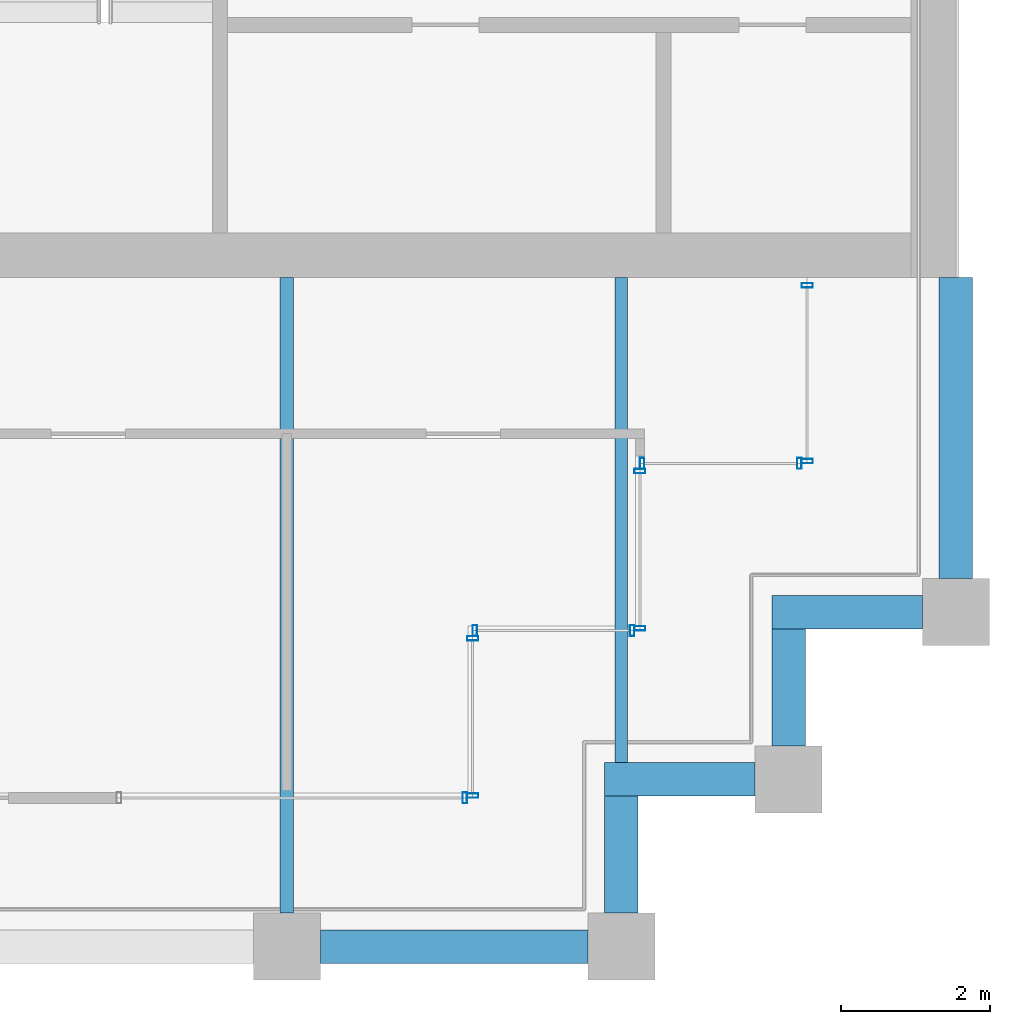
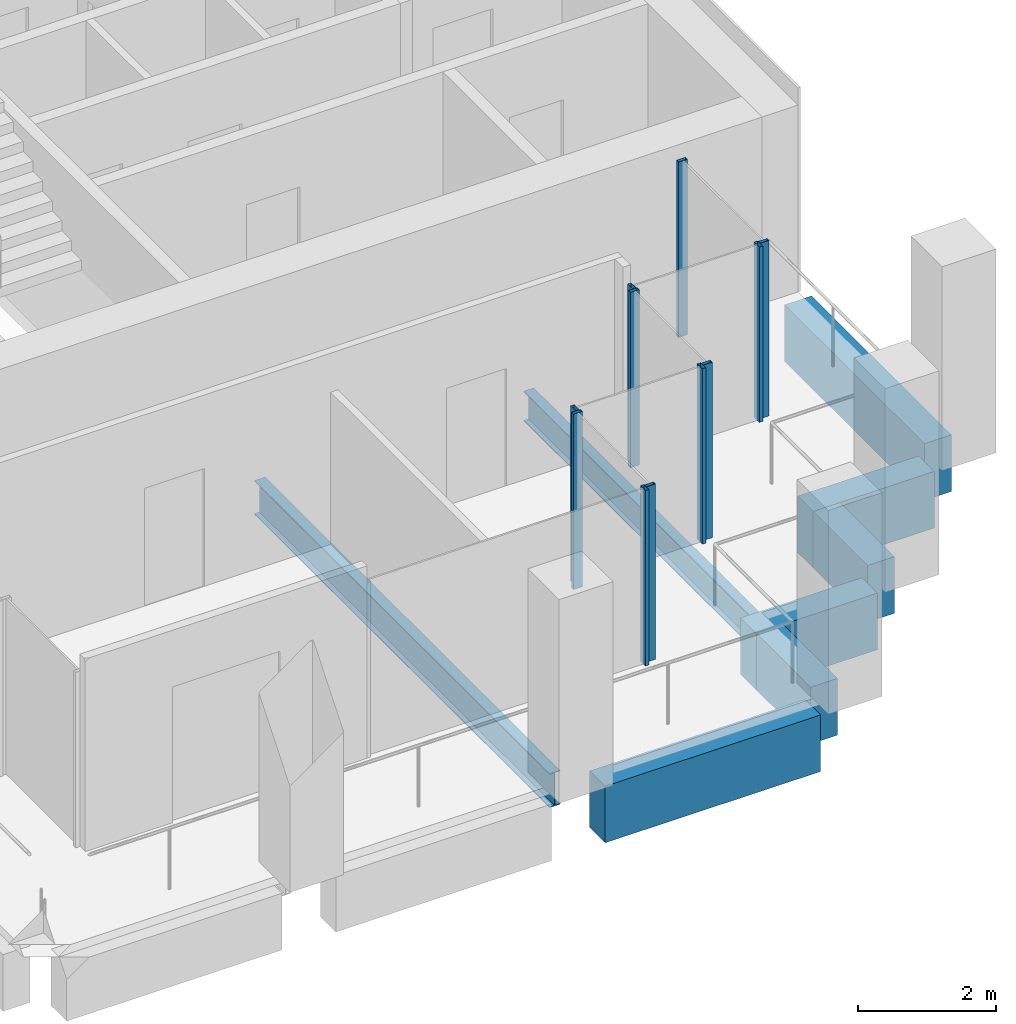
# One storey, part 31 of 40: 11 members, 8 beams, 6 elements without a shape of their own.
"""IFC4 building model written with IfcOpenShell, lengths in metres."""

from ifc_helpers import new_model, si_unit, direction, frame, origin, origin_2d, place, context, subcontext, project, spatial, rectangle, hollow_rectangle, i_section, extrude, material, material_profile, profile_set, type_object, element, aggregate, save


model = new_model("IFC4")

# Units and contexts
model_context = context("Model", 3, precision=1e-05, world=origin(), true_north=direction((0.0, 1.0)))
body_context = subcontext(model_context, "Body", "Model", "MODEL_VIEW")
ifc_project = project(units=[si_unit("LENGTHUNIT", "METRE"), si_unit("AREAUNIT", "SQUARE_METRE"), si_unit("VOLUMEUNIT", "CUBIC_METRE"), si_unit("PLANEANGLEUNIT", "RADIAN"), si_unit("MASSUNIT", "GRAM", prefix="KILO")], contexts=[model_context])

# Site, building, storey
site_placement = place(None, origin())
site = spatial("IfcSite", under=ifc_project, at=site_placement, CompositionType="ELEMENT")
building_placement = place(site_placement, origin())
building = spatial("IfcBuilding", under=site, at=building_placement, Name="Altepetl Exchange Towers", CompositionType="ELEMENT")
storey_placement = place(building_placement, frame((0.0, 0.0, 187.0)))
storey = spatial("IfcBuildingStorey", under=building, at=storey_placement, Name="L47", CompositionType="ELEMENT", Elevation=187.0)

# Beams
ifc_material_1 = material(Name="Steel S355", Category="steel")
ifc_material_profile_1 = material_profile(ifc_material_1, i_section(OverallWidth=0.166015625, OverallDepth=0.529052734375, WebThickness=0.009765625, FlangeThickness=0.013671875, at=origin_2d()), Name="W21X50")
ifc_profile_set_1 = profile_set([ifc_material_profile_1], Name="Steel S355")
beam_type_1 = type_object("IfcBeamType", Name="Floor beam W21X50", PredefinedType="BEAM", material=ifc_profile_set_1)
beam_1_placement = place(storey_placement, frame((112.5, 29.47509765625, -0.41455078125), z_axis=(0.0, 1.0, 0.0), x_axis=(-1.0, 0.0, 0.0)))
element("IfcBeam", 1, at=beam_1_placement, inside=storey, type_object=beam_type_1, Name="bm:B:L47:003", PredefinedType="BEAM", context=body_context, shape_type="SweptSolid", body=[
    extrude(i_section(OverallWidth=0.166015625, OverallDepth=0.529052734375, WebThickness=0.009765625, FlangeThickness=0.013671875, at=origin_2d()), origin(), (0.0, 0.0, 1.0), 6.52490234375),
])
ifc_material_profile_2 = material_profile(ifc_material_1, i_section(OverallWidth=0.177978515625, OverallDepth=0.59912109375, WebThickness=0.010009765625, FlangeThickness=0.0126953125, at=origin_2d()), Name="W24X55")
ifc_profile_set_2 = profile_set([ifc_material_profile_2], Name="Steel S355")
beam_type_2 = type_object("IfcBeamType", Name="Floor beam W24X55", PredefinedType="BEAM", material=ifc_profile_set_2)
beam_2_placement = place(storey_placement, frame((108.0, 27.449951171875, -0.449462890625), z_axis=(0.0, 1.0, 0.0), x_axis=(-1.0, 0.0, 0.0)))
element("IfcBeam", 2, at=beam_2_placement, inside=storey, type_object=beam_type_2, Name="bm:B:L47:002", PredefinedType="BEAM", context=body_context, shape_type="SweptSolid", body=[
    extrude(i_section(OverallWidth=0.177978515625, OverallDepth=0.59912109375, WebThickness=0.010009765625, FlangeThickness=0.0126953125, at=origin_2d()), origin(), (0.0, 0.0, 1.0), 8.550048828125),
])

# Curtain wall, member
ifc_material_2 = material(Name="Aluminium 6063-T6 glazing", Category="aluminium")
curtain_wall_type = type_object("IfcCurtainWallType", Name="Loggia glazing system", PredefinedType="NOTDEFINED", material=ifc_material_2)
curtain_wall_1_placement = place(storey_placement, origin())
curtain_wall_1 = element("IfcCurtainWall", 3, at=curtain_wall_1_placement, inside=storey, type_object=curtain_wall_type, Name="CW1 run", PredefinedType="NOTDEFINED")
ifc_material_3 = material(Name="Aluminium 6063-T6", Category="aluminium")
ifc_material_profile_3 = material_profile(ifc_material_3, hollow_rectangle(XDim=0.06005859375, YDim=0.14990234375, WallThickness=0.0029296875, at=origin_2d()), Name="Mullion 60x150 aluminium")
ifc_profile_set_3 = profile_set([ifc_material_profile_3], Name="Aluminium 6063-T6")
member_type = type_object("IfcMemberType", Name="Mullion 60x150 aluminium", PredefinedType="MULLION", material=ifc_profile_set_3)
member_1_placement = place(storey_placement, frame((110.39501953125, 29.0, 0.0)))
member_1 = element("IfcMember", 4, at=member_1_placement, type_object=member_type, Name="MU1 mullion", PredefinedType="MULLION", context=body_context, shape_type="SweptSolid", body=[
    extrude(hollow_rectangle(XDim=0.06005859375, YDim=0.14990234375, WallThickness=0.0029296875, at=origin_2d()), origin(), (0.0, 0.0, 1.0), 3.10009765625),
])
aggregate(curtain_wall_1, [member_1])

# Curtain wall, members
curtain_wall_2_placement = place(storey_placement, origin())
curtain_wall_2 = element("IfcCurtainWall", 5, at=curtain_wall_2_placement, inside=storey, type_object=curtain_wall_type, Name="CW1 run", PredefinedType="NOTDEFINED")
member_2_placement = place(storey_placement, frame((110.5, 29.030029296875, 0.0), z_axis=(0.0, 0.0, 1.0), x_axis=(0.0, 1.0, 0.0)))
member_2 = element("IfcMember", 6, at=member_2_placement, type_object=member_type, Name="MU1 mullion", PredefinedType="MULLION", context=body_context, shape_type="SweptSolid", body=[
    extrude(hollow_rectangle(XDim=0.06005859375, YDim=0.14990234375, WallThickness=0.0029296875, at=origin_2d()), origin(), (0.0, 0.0, 1.0), 3.10009765625),
])
member_3_placement = place(storey_placement, frame((110.5, 31.14501953125, 0.0), z_axis=(0.0, 0.0, 1.0), x_axis=(0.0, 1.0, 0.0)))
member_3 = element("IfcMember", 7, at=member_3_placement, type_object=member_type, Name="MU1 mullion", PredefinedType="MULLION", context=body_context, shape_type="SweptSolid", body=[
    extrude(hollow_rectangle(XDim=0.06005859375, YDim=0.14990234375, WallThickness=0.0029296875, at=origin_2d()), origin(), (0.0, 0.0, 1.0), 3.10009765625),
])
aggregate(curtain_wall_2, [member_2, member_3])

curtain_wall_3_placement = place(storey_placement, origin())
curtain_wall_3 = element("IfcCurtainWall", 8, at=curtain_wall_3_placement, inside=storey, type_object=curtain_wall_type, Name="CW1 run", PredefinedType="NOTDEFINED")
member_4_placement = place(storey_placement, frame((110.530029296875, 31.25, 0.0)))
member_4 = element("IfcMember", 9, at=member_4_placement, type_object=member_type, Name="MU1 mullion", PredefinedType="MULLION", context=body_context, shape_type="SweptSolid", body=[
    extrude(hollow_rectangle(XDim=0.06005859375, YDim=0.14990234375, WallThickness=0.0029296875, at=origin_2d()), origin(), (0.0, 0.0, 1.0), 3.10009765625),
])
member_5_placement = place(storey_placement, frame((112.64501953125, 31.25, 0.0)))
member_5 = element("IfcMember", 10, at=member_5_placement, type_object=member_type, Name="MU1 mullion", PredefinedType="MULLION", context=body_context, shape_type="SweptSolid", body=[
    extrude(hollow_rectangle(XDim=0.06005859375, YDim=0.14990234375, WallThickness=0.0029296875, at=origin_2d()), origin(), (0.0, 0.0, 1.0), 3.10009765625),
])
aggregate(curtain_wall_3, [member_4, member_5])

curtain_wall_4_placement = place(storey_placement, origin())
curtain_wall_4 = element("IfcCurtainWall", 11, at=curtain_wall_4_placement, inside=storey, type_object=curtain_wall_type, Name="CW1 run", PredefinedType="NOTDEFINED")
member_6_placement = place(storey_placement, frame((112.75, 31.280029296875, 0.0), z_axis=(0.0, 0.0, 1.0), x_axis=(0.0, 1.0, 0.0)))
member_6 = element("IfcMember", 12, at=member_6_placement, type_object=member_type, Name="MU1 mullion", PredefinedType="MULLION", context=body_context, shape_type="SweptSolid", body=[
    extrude(hollow_rectangle(XDim=0.06005859375, YDim=0.14990234375, WallThickness=0.0029296875, at=origin_2d()), origin(), (0.0, 0.0, 1.0), 3.10009765625),
])
member_7_placement = place(storey_placement, frame((112.75, 33.39501953125, 0.0), z_axis=(0.0, 0.0, 1.0), x_axis=(0.0, 1.0, 0.0)))
member_7 = element("IfcMember", 13, at=member_7_placement, type_object=member_type, Name="MU1 mullion", PredefinedType="MULLION", context=body_context, shape_type="SweptSolid", body=[
    extrude(hollow_rectangle(XDim=0.06005859375, YDim=0.14990234375, WallThickness=0.0029296875, at=origin_2d()), origin(), (0.0, 0.0, 1.0), 3.10009765625),
])
aggregate(curtain_wall_4, [member_6, member_7])

curtain_wall_5_placement = place(storey_placement, origin())
curtain_wall_5 = element("IfcCurtainWall", 14, at=curtain_wall_5_placement, inside=storey, type_object=curtain_wall_type, Name="CW1 run", PredefinedType="NOTDEFINED")
member_8_placement = place(storey_placement, frame((112.780029296875, 33.5, 0.0)))
member_8 = element("IfcMember", 15, at=member_8_placement, type_object=member_type, Name="MU1 mullion", PredefinedType="MULLION", context=body_context, shape_type="SweptSolid", body=[
    extrude(hollow_rectangle(XDim=0.06005859375, YDim=0.14990234375, WallThickness=0.0029296875, at=origin_2d()), origin(), (0.0, 0.0, 1.0), 3.10009765625),
])
member_9_placement = place(storey_placement, frame((114.89501953125, 33.5, 0.0)))
member_9 = element("IfcMember", 16, at=member_9_placement, type_object=member_type, Name="MU1 mullion", PredefinedType="MULLION", context=body_context, shape_type="SweptSolid", body=[
    extrude(hollow_rectangle(XDim=0.06005859375, YDim=0.14990234375, WallThickness=0.0029296875, at=origin_2d()), origin(), (0.0, 0.0, 1.0), 3.10009765625),
])
aggregate(curtain_wall_5, [member_8, member_9])

curtain_wall_6_placement = place(storey_placement, origin())
curtain_wall_6 = element("IfcCurtainWall", 17, at=curtain_wall_6_placement, inside=storey, type_object=curtain_wall_type, Name="CW1 run", PredefinedType="NOTDEFINED")
member_10_placement = place(storey_placement, frame((115.0, 33.530029296875, 0.0), z_axis=(0.0, 0.0, 1.0), x_axis=(0.0, 1.0, 0.0)))
member_10 = element("IfcMember", 18, at=member_10_placement, type_object=member_type, Name="MU1 mullion", PredefinedType="MULLION", context=body_context, shape_type="SweptSolid", body=[
    extrude(hollow_rectangle(XDim=0.06005859375, YDim=0.14990234375, WallThickness=0.0029296875, at=origin_2d()), origin(), (0.0, 0.0, 1.0), 3.10009765625),
])
member_11_placement = place(storey_placement, frame((115.0, 35.89501953125, 0.0), z_axis=(0.0, 0.0, 1.0), x_axis=(0.0, 1.0, 0.0)))
member_11 = element("IfcMember", 19, at=member_11_placement, type_object=member_type, Name="MU1 mullion", PredefinedType="MULLION", context=body_context, shape_type="SweptSolid", body=[
    extrude(hollow_rectangle(XDim=0.06005859375, YDim=0.14990234375, WallThickness=0.0029296875, at=origin_2d()), origin(), (0.0, 0.0, 1.0), 3.10009765625),
])
aggregate(curtain_wall_6, [member_10, member_11])

# Beams
ifc_material_4 = material(Name="Concrete C50/60 precast with cantera blanca facing", Category="concrete")
ifc_material_profile_4 = material_profile(ifc_material_4, rectangle(XDim=0.449951171875, YDim=1.0, at=origin_2d()), Name="450 x 1000")
ifc_profile_set_4 = profile_set([ifc_material_profile_4], Name="Concrete C50/60 precast with cantera blanca facing")
beam_type_3 = type_object("IfcBeamType", Name="Spandrel beam 450x1000 cantera blanca", PredefinedType="SPANDREL", material=ifc_profile_set_4)
beam_3_placement = place(storey_placement, frame((117.0, 31.949951171875, -0.64990234375), z_axis=(0.0, 1.0, 0.0), x_axis=(-1.0, 0.0, 0.0)))
element("IfcBeam", 20, at=beam_3_placement, inside=storey, type_object=beam_type_3, Name="sp:B:L47:007", PredefinedType="SPANDREL", context=body_context, shape_type="SweptSolid", body=[
    extrude(rectangle(XDim=0.449951171875, YDim=1.0, at=origin_2d()), origin(), (0.0, 0.0, 1.0), 4.050048828125),
])
ifc_material_5 = material(Name="Concrete C50/60 precast with tezontle facing", Category="concrete")
ifc_material_profile_5 = material_profile(ifc_material_5, rectangle(XDim=0.449951171875, YDim=1.0, at=origin_2d()), Name="450 x 1000")
ifc_profile_set_5 = profile_set([ifc_material_profile_5], Name="Concrete C50/60 precast with tezontle facing")
beam_type_4 = type_object("IfcBeamType", Name="Spandrel beam 450x1000 tezontle", PredefinedType="SPANDREL", material=ifc_profile_set_5)
beam_4_placement = place(storey_placement, frame((108.449951171875, 27.0, -0.64990234375), z_axis=(1.0, 0.0, 0.0), x_axis=(0.0, 1.0, 0.0)))
element("IfcBeam", 21, at=beam_4_placement, inside=storey, type_object=beam_type_4, Name="sp:B:L47:002", PredefinedType="SPANDREL", context=body_context, shape_type="SweptSolid", body=[
    extrude(rectangle(XDim=0.449951171875, YDim=1.0, at=origin_2d()), origin(), (0.0, 0.0, 1.0), 3.60009765625),
])
beam_5_placement = place(storey_placement, frame((112.5, 27.449951171875, -0.64990234375), z_axis=(0.0, 1.0, 0.0), x_axis=(-1.0, 0.0, 0.0)))
element("IfcBeam", 22, at=beam_5_placement, inside=storey, type_object=beam_type_4, Name="sp:B:L47:003", PredefinedType="SPANDREL", context=body_context, shape_type="SweptSolid", body=[
    extrude(rectangle(XDim=0.449951171875, YDim=1.0, at=origin_2d()), origin(), (0.0, 0.0, 1.0), 1.574951171875),
])
beam_6_placement = place(storey_placement, frame((112.27490234375, 29.25, -0.64990234375), z_axis=(1.0, 0.0, 0.0), x_axis=(0.0, 1.0, 0.0)))
element("IfcBeam", 23, at=beam_6_placement, inside=storey, type_object=beam_type_4, Name="sp:B:L47:004", PredefinedType="SPANDREL", context=body_context, shape_type="SweptSolid", body=[
    extrude(rectangle(XDim=0.449951171875, YDim=1.0, at=origin_2d()), origin(), (0.0, 0.0, 1.0), 2.025146484375),
])
beam_7_placement = place(storey_placement, frame((114.75, 29.699951171875, -0.64990234375), z_axis=(0.0, 1.0, 0.0), x_axis=(-1.0, 0.0, 0.0)))
element("IfcBeam", 24, at=beam_7_placement, inside=storey, type_object=beam_type_4, Name="sp:B:L47:005", PredefinedType="SPANDREL", context=body_context, shape_type="SweptSolid", body=[
    extrude(rectangle(XDim=0.449951171875, YDim=1.0, at=origin_2d()), origin(), (0.0, 0.0, 1.0), 1.574951171875),
])
beam_8_placement = place(storey_placement, frame((114.52490234375, 31.5, -0.64990234375), z_axis=(1.0, 0.0, 0.0), x_axis=(0.0, 1.0, 0.0)))
element("IfcBeam", 25, at=beam_8_placement, inside=storey, type_object=beam_type_4, Name="sp:B:L47:006", PredefinedType="SPANDREL", context=body_context, shape_type="SweptSolid", body=[
    extrude(rectangle(XDim=0.449951171875, YDim=1.0, at=origin_2d()), origin(), (0.0, 0.0, 1.0), 2.025146484375),
])

save(model, "model.ifc")
